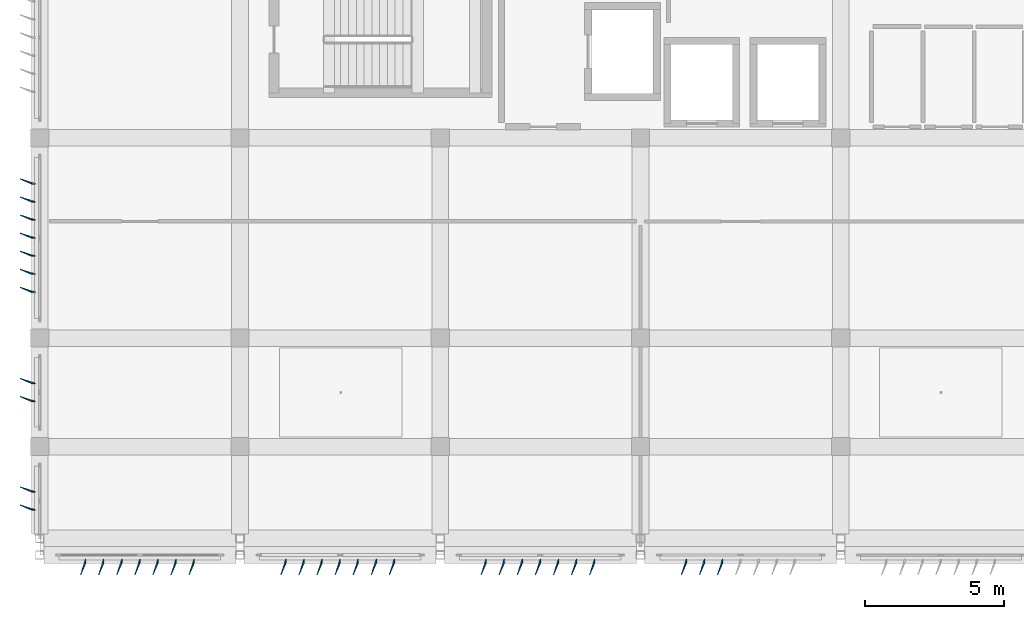
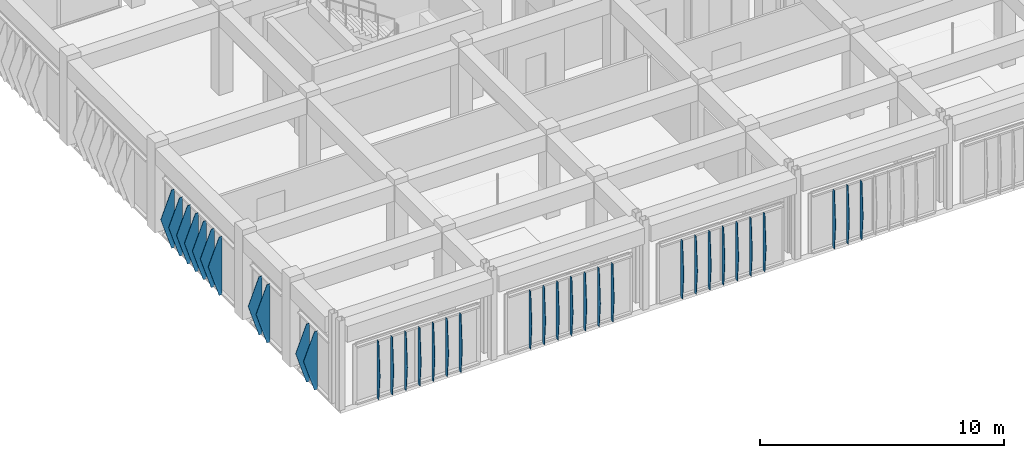
# One storey, part 50 of 56: 35 plates.
"""IFC4 building model written with IfcOpenShell, lengths in metres."""

import ifcopenshell
import ifcopenshell.guid

model = None  # the IFC model being written
_history = None  # IfcOwnerHistory: only IFC2X3 demands one
_inside = {}  # id of a spatial element -> (the spatial element, [elements in it])
_under = {}  # id of a project, library or spatial element -> (it, [spatial elements below it])
_declared = {}  # id of a project -> (the project, [libraries it declares])
_typed = {}  # id of a type object -> (the type object, [elements of that type])
_made_of = {}  # id of a material, layer set ... -> (it, [elements and type objects made of it])


def new_model(schema):
    """Start an empty IFC model of exactly this schema.

    Asked for "IFC4X3", IfcOpenShell would pick the latest addendum, in which some entities
    have other attributes; the version numbers below select the first issue.
    IFC2X3 requires an IfcOwnerHistory on every rooted entity: one is made here for all.
    """
    global model, _history
    if schema == "IFC4X3":
        model = ifcopenshell.file(schema_version=(4, 3, 0, 0))
    else:
        model = ifcopenshell.file(schema=schema)
    _inside.clear()
    _under.clear()
    _declared.clear()
    _typed.clear()
    _made_of.clear()
    _history = None
    if model.schema == "IFC2X3":
        org = make("IfcOrganization", Name="unknown")
        user = make(
            "IfcPersonAndOrganization",
            ThePerson=make("IfcPerson", FamilyName="unknown"),
            TheOrganization=org,
        )
        app = make(
            "IfcApplication",
            ApplicationDeveloper=org,
            Version="unknown",
            ApplicationFullName="unknown",
            ApplicationIdentifier="unknown",
        )
        _history = make(
            "IfcOwnerHistory",
            OwningUser=user,
            OwningApplication=app,
            ChangeAction="ADDED",
            CreationDate=0,
        )
    return model


def make(cls, **values):
    """One entity of the class cls with the attributes given. An attribute that is None is left unset."""
    return model.create_entity(
        cls, **{name: value for name, value in values.items() if value is not None}
    )


def rooted(cls, **values):
    """An entity with a GlobalId (a new one), such as an element, a storey or a relation."""
    return make(cls, GlobalId=ifcopenshell.guid.new(), OwnerHistory=_history, **values)


def si_unit(unit_type, name, prefix=None):
    """IfcSIUnit, for example si_unit("LENGTHUNIT", "METRE", prefix="MILLI")."""
    return make("IfcSIUnit", UnitType=unit_type, Prefix=prefix, Name=name)


def assignment(units):
    """IfcUnitAssignment: the units of a project."""
    return None if units is None else make("IfcUnitAssignment", Units=units)


def point(xyz):
    """IfcCartesianPoint."""
    return None if xyz is None else make("IfcCartesianPoint", Coordinates=xyz)


def direction(xyz):
    """IfcDirection."""
    return None if xyz is None else make("IfcDirection", DirectionRatios=xyz)


def frame(location, z_axis=None, x_axis=None):
    """IfcAxis2Placement3D, a coordinate frame: its origin and axes. An axis left out is left unset."""
    return make(
        "IfcAxis2Placement3D",
        Location=point(location),
        Axis=direction(z_axis),
        RefDirection=direction(x_axis),
    )


def origin():
    """The frame at (0, 0, 0) with its axes left unset."""
    return frame((0.0, 0.0, 0.0))


def place(relative_to, where):
    """IfcLocalPlacement: puts the frame where relative to a parent placement (None: the world)."""
    return make(
        "IfcLocalPlacement", PlacementRelTo=relative_to, RelativePlacement=where
    )


def context(
    kind, dimensions, precision=None, world=None, true_north=None, identifier=None
):
    """IfcGeometricRepresentationContext, for example the 3D "Model" context."""
    return make(
        "IfcGeometricRepresentationContext",
        ContextIdentifier=identifier,
        ContextType=kind,
        CoordinateSpaceDimension=dimensions,
        Precision=precision,
        WorldCoordinateSystem=world,
        TrueNorth=true_north,
    )


def subcontext(parent, identifier, kind, view, scale=None):
    """IfcGeometricRepresentationSubContext, for example "Body" below "Model"."""
    return make(
        "IfcGeometricRepresentationSubContext",
        ContextIdentifier=identifier,
        ContextType=kind,
        ParentContext=parent,
        TargetScale=scale,
        TargetView=view,
    )


def project(units=None, contexts=None):
    """IfcProject with its units and contexts."""
    return rooted(
        "IfcProject",
        Name="project",
        RepresentationContexts=contexts,
        UnitsInContext=assignment(units),
    )


def spatial(cls, under=None, at=None, **own):
    """A site, building, storey or space (cls), placed at a placement, below another one or the project."""
    s = rooted(cls, ObjectPlacement=at, **own)
    if under is not None:
        _under.setdefault(under.id(), (under, []))[1].append(s)
    return s


def point_list(points):
    """IfcCartesianPointList2D or 3D."""
    cls = (
        "IfcCartesianPointList2D" if len(points[0]) == 2 else "IfcCartesianPointList3D"
    )
    return make(cls, CoordList=points)


def polygons(points, faces, closed=None, point_numbers=None):
    """IfcPolygonalFaceSet: a face is its outer loop, then its inner loops; points numbered from 1."""
    made = []
    for loops in faces:
        if len(loops) == 1:
            made.append(make("IfcIndexedPolygonalFace", CoordIndex=loops[0]))
        else:
            made.append(
                make(
                    "IfcIndexedPolygonalFaceWithVoids",
                    CoordIndex=loops[0],
                    InnerCoordIndices=loops[1:],
                )
            )
    return make(
        "IfcPolygonalFaceSet",
        Coordinates=point_list(points),
        Closed=closed,
        Faces=made,
        PnIndex=point_numbers,
    )


def shape(context_of_items, identifier, shape_type, items):
    """IfcShapeRepresentation: the items that make up one representation, for example the "Body"."""
    return make(
        "IfcShapeRepresentation",
        ContextOfItems=context_of_items,
        RepresentationIdentifier=identifier,
        RepresentationType=shape_type,
        Items=items,
    )


def material(Name=None, Category=None):
    """IfcMaterial."""
    return make("IfcMaterial", Name=Name, Category=Category)


def layer(
    of_material, thickness, ventilated=None, Name=None, Category=None, Priority=None
):
    """IfcMaterialLayer: one layer of a wall or slab, of a material (None: an air gap)."""
    return make(
        "IfcMaterialLayer",
        Material=of_material,
        LayerThickness=thickness,
        IsVentilated=ventilated,
        Name=Name,
        Category=Category,
        Priority=Priority,
    )


def layer_set(layers, Name=None):
    """IfcMaterialLayerSet."""
    return make("IfcMaterialLayerSet", MaterialLayers=layers, LayerSetName=Name)


def made_of(thing, what):
    """Note that an element or type object is made of a material, layer set ...; save() writes the relation."""
    if what is not None:
        _made_of.setdefault(what.id(), (what, []))[1].append(thing)
    return thing


def type_object(cls, material=None, **own):
    """A type object (cls), such as IfcWallType, which elements share."""
    return made_of(rooted(cls, **own), material)


def element(
    cls,
    number,
    at=None,
    inside=None,
    cuts=None,
    type_object=None,
    material=None,
    context=None,
    identifier="Body",
    shape_type=None,
    held_by="IfcProductDefinitionShape",
    body=None,
    shapes=None,
    **own,
):
    """One element of the class cls, such as IfcWall. Its Tag is "e" and its number.

    at: its placement. inside: the storey or other place that contains it. cuts: it is an
    opening in that element (IfcRelVoidsElement). A single representation is given by context,
    identifier, shape_type and body (its items); several are given by shapes. held_by: the class
    of the entity that holds the representations. save() writes the other relations.
    """
    e = rooted(cls, Tag="e%d" % number, ObjectPlacement=at, **own)
    if body is not None:
        shapes = [shape(context, identifier, shape_type, body)]
    if shapes is not None:
        e.Representation = make(held_by, Representations=shapes)
    if inside is not None:
        _inside.setdefault(inside.id(), (inside, []))[1].append(e)
    if cuts is not None:
        rooted(
            "IfcRelVoidsElement", RelatingBuildingElement=cuts, RelatedOpeningElement=e
        )
    if type_object is not None:
        _typed.setdefault(type_object.id(), (type_object, []))[1].append(e)
    return made_of(e, material)


def aggregate(whole, parts):
    """IfcRelAggregates: a whole, such as a stair, and the parts it consists of."""
    return rooted("IfcRelAggregates", RelatingObject=whole, RelatedObjects=parts)


def save(model, path):
    """Write the relations noted so far, then the file.

    IfcRelAggregates (storeys below a building ...), IfcRelContainedInSpatialStructure (elements
    in a storey), IfcRelDefinesByType, IfcRelAssociatesMaterial and IfcRelDeclares: one each for
    every whole, place, type object, material and project.
    """
    for whole, parts in _under.values():
        aggregate(whole, parts)
    for where, things in _inside.values():
        rooted(
            "IfcRelContainedInSpatialStructure",
            RelatedElements=things,
            RelatingStructure=where,
        )
    for kind, things in _typed.values():
        rooted("IfcRelDefinesByType", RelatedObjects=things, RelatingType=kind)
    for what, things in _made_of.values():
        rooted("IfcRelAssociatesMaterial", RelatedObjects=things, RelatingMaterial=what)
    for by, libraries in _declared.values():
        rooted("IfcRelDeclares", RelatingContext=by, RelatedDefinitions=libraries)
    model.write(path)


model = new_model("IFC4")

# Units and contexts
model_context = context("Model", 3, precision=1e-05, world=origin(), true_north=direction((0.0, 1.0)))
body_context = subcontext(model_context, "Body", "Model", "MODEL_VIEW")
ifc_project = project(units=[si_unit("LENGTHUNIT", "METRE"), si_unit("AREAUNIT", "SQUARE_METRE"), si_unit("VOLUMEUNIT", "CUBIC_METRE"), si_unit("PLANEANGLEUNIT", "RADIAN"), si_unit("MASSUNIT", "GRAM", prefix="KILO")], contexts=[model_context])

# Site, building, storey
site_placement = place(None, origin())
site = spatial("IfcSite", under=ifc_project, at=site_placement, CompositionType="ELEMENT")
building_placement = place(site_placement, origin())
building = spatial("IfcBuilding", under=site, at=building_placement, Name="Kazehaya Institute of Natural Sciences", CompositionType="ELEMENT")
storey_placement = place(building_placement, frame((0.0, 0.0, 28.800048828125)))
storey = spatial("IfcBuildingStorey", under=building, at=storey_placement, Name="L06", CompositionType="ELEMENT", Elevation=28.800048828125)

# Plates
ifc_material = material(Name="Bronze-anodised aluminium alloy A6063S-T5", Category="aluminium")
ifc_layer_1 = layer(ifc_material, 0.02001953125, Name="Bronze-anodised aluminium alloy A6063S-T5", Category="aluminium")
ifc_layer_set_1 = layer_set([ifc_layer_1], Name="Bronze-anodised aluminium alloy A6063S-T5")
plate_type_1 = type_object("IfcPlateType", Name="FIN-DF-E1", PredefinedType="USERDEFINED", material=ifc_layer_set_1)
plate_1_placement = place(storey_placement, origin())
element("IfcPlate", 1, at=plate_1_placement, inside=storey, type_object=plate_type_1, Name="L06 folded diamond-pyramid shading fin FIN-L06-W-0494", ObjectType="SHADING_FIN", PredefinedType="USERDEFINED", context=body_context, shape_type="Tessellation", body=[
    polygons([(54.445068359375, 7.81494140625, 0.0400390625), (54.300048828125, 7.81494140625, 0.0400390625), (53.889892578125, 7.99365234375, 1.5), (54.300048828125, 7.81494140625, 2.9599609375), (54.445068359375, 7.81494140625, 2.9599609375), (54.445068359375, 7.8349609375, 0.0400390625), (54.300048828125, 7.8349609375, 0.0400390625), (53.889892578125, 8.013671875, 1.5), (54.300048828125, 7.8349609375, 2.9599609375), (54.445068359375, 7.8349609375, 2.9599609375)], [[[1, 5, 4, 3, 2]], [[6, 7, 8, 9, 10]], [[1, 2, 7, 6]], [[2, 3, 8, 7]], [[3, 4, 9, 8]], [[4, 5, 10, 9]], [[5, 1, 6, 10]]], closed=True),
])
plate_2_placement = place(storey_placement, origin())
element("IfcPlate", 2, at=plate_2_placement, inside=storey, type_object=plate_type_1, Name="L06 folded diamond-pyramid shading fin FIN-L06-W-0495", ObjectType="SHADING_FIN", PredefinedType="USERDEFINED", context=body_context, shape_type="Tessellation", body=[
    polygons([(54.445068359375, 8.465087890625, 0.0400390625), (54.300048828125, 8.465087890625, 0.0400390625), (53.889892578125, 8.643798828125, 1.5), (54.300048828125, 8.465087890625, 2.9599609375), (54.445068359375, 8.465087890625, 2.9599609375), (54.445068359375, 8.485107421875, 0.0400390625), (54.300048828125, 8.485107421875, 0.0400390625), (53.889892578125, 8.663818359375, 1.5), (54.300048828125, 8.485107421875, 2.9599609375), (54.445068359375, 8.485107421875, 2.9599609375)], [[[1, 5, 4, 3, 2]], [[6, 7, 8, 9, 10]], [[1, 2, 7, 6]], [[2, 3, 8, 7]], [[3, 4, 9, 8]], [[4, 5, 10, 9]], [[5, 1, 6, 10]]], closed=True),
])
plate_3_placement = place(storey_placement, origin())
element("IfcPlate", 3, at=plate_3_placement, inside=storey, type_object=plate_type_1, Name="L06 folded diamond-pyramid shading fin FIN-L06-W-0498", ObjectType="SHADING_FIN", PredefinedType="USERDEFINED", context=body_context, shape_type="Tessellation", body=[
    polygons([(54.445068359375, 11.715087890625, 0.0400390625), (54.300048828125, 11.715087890625, 0.0400390625), (53.889892578125, 11.893798828125, 1.5), (54.300048828125, 11.715087890625, 2.9599609375), (54.445068359375, 11.715087890625, 2.9599609375), (54.445068359375, 11.735107421875, 0.0400390625), (54.300048828125, 11.735107421875, 0.0400390625), (53.889892578125, 11.913818359375, 1.5), (54.300048828125, 11.735107421875, 2.9599609375), (54.445068359375, 11.735107421875, 2.9599609375)], [[[1, 5, 4, 3, 2]], [[6, 7, 8, 9, 10]], [[1, 2, 7, 6]], [[2, 3, 8, 7]], [[3, 4, 9, 8]], [[4, 5, 10, 9]], [[5, 1, 6, 10]]], closed=True),
])
plate_4_placement = place(storey_placement, origin())
element("IfcPlate", 4, at=plate_4_placement, inside=storey, type_object=plate_type_1, Name="L06 folded diamond-pyramid shading fin FIN-L06-W-0499", ObjectType="SHADING_FIN", PredefinedType="USERDEFINED", context=body_context, shape_type="Tessellation", body=[
    polygons([(54.445068359375, 12.364990234375, 0.0400390625), (54.300048828125, 12.364990234375, 0.0400390625), (53.889892578125, 12.543701171875, 1.5), (54.300048828125, 12.364990234375, 2.9599609375), (54.445068359375, 12.364990234375, 2.9599609375), (54.445068359375, 12.385009765625, 0.0400390625), (54.300048828125, 12.385009765625, 0.0400390625), (53.889892578125, 12.563720703125, 1.5), (54.300048828125, 12.385009765625, 2.9599609375), (54.445068359375, 12.385009765625, 2.9599609375)], [[[1, 5, 4, 3, 2]], [[6, 7, 8, 9, 10]], [[1, 2, 7, 6]], [[2, 3, 8, 7]], [[3, 4, 9, 8]], [[4, 5, 10, 9]], [[5, 1, 6, 10]]], closed=True),
])
plate_5_placement = place(storey_placement, origin())
element("IfcPlate", 5, at=plate_5_placement, inside=storey, type_object=plate_type_1, Name="L06 folded diamond-pyramid shading fin FIN-L06-W-0502", ObjectType="SHADING_FIN", PredefinedType="USERDEFINED", context=body_context, shape_type="Tessellation", body=[
    polygons([(54.445068359375, 15.639892578125, 0.0400390625), (54.300048828125, 15.639892578125, 0.0400390625), (53.889892578125, 15.818603515625, 1.5), (54.300048828125, 15.639892578125, 2.9599609375), (54.445068359375, 15.639892578125, 2.9599609375), (54.445068359375, 15.659912109375, 0.0400390625), (54.300048828125, 15.659912109375, 0.0400390625), (53.889892578125, 15.838623046875, 1.5), (54.300048828125, 15.659912109375, 2.9599609375), (54.445068359375, 15.659912109375, 2.9599609375)], [[[1, 5, 4, 3, 2]], [[6, 7, 8, 9, 10]], [[1, 2, 7, 6]], [[2, 3, 8, 7]], [[3, 4, 9, 8]], [[4, 5, 10, 9]], [[5, 1, 6, 10]]], closed=True),
])
plate_6_placement = place(storey_placement, origin())
element("IfcPlate", 6, at=plate_6_placement, inside=storey, type_object=plate_type_1, Name="L06 folded diamond-pyramid shading fin FIN-L06-W-0503", ObjectType="SHADING_FIN", PredefinedType="USERDEFINED", context=body_context, shape_type="Tessellation", body=[
    polygons([(54.445068359375, 16.2900390625, 0.0400390625), (54.300048828125, 16.2900390625, 0.0400390625), (53.889892578125, 16.46875, 1.5), (54.300048828125, 16.2900390625, 2.9599609375), (54.445068359375, 16.2900390625, 2.9599609375), (54.445068359375, 16.31005859375, 0.0400390625), (54.300048828125, 16.31005859375, 0.0400390625), (53.889892578125, 16.48876953125, 1.5), (54.300048828125, 16.31005859375, 2.9599609375), (54.445068359375, 16.31005859375, 2.9599609375)], [[[1, 5, 4, 3, 2]], [[6, 7, 8, 9, 10]], [[1, 2, 7, 6]], [[2, 3, 8, 7]], [[3, 4, 9, 8]], [[4, 5, 10, 9]], [[5, 1, 6, 10]]], closed=True),
])
plate_7_placement = place(storey_placement, origin())
element("IfcPlate", 7, at=plate_7_placement, inside=storey, type_object=plate_type_1, Name="L06 folded diamond-pyramid shading fin FIN-L06-W-0504", ObjectType="SHADING_FIN", PredefinedType="USERDEFINED", context=body_context, shape_type="Tessellation", body=[
    polygons([(54.445068359375, 16.93994140625, 0.0400390625), (54.300048828125, 16.93994140625, 0.0400390625), (53.889892578125, 17.11865234375, 1.5), (54.300048828125, 16.93994140625, 2.9599609375), (54.445068359375, 16.93994140625, 2.9599609375), (54.445068359375, 16.9599609375, 0.0400390625), (54.300048828125, 16.9599609375, 0.0400390625), (53.889892578125, 17.138671875, 1.5), (54.300048828125, 16.9599609375, 2.9599609375), (54.445068359375, 16.9599609375, 2.9599609375)], [[[1, 5, 4, 3, 2]], [[6, 7, 8, 9, 10]], [[1, 2, 7, 6]], [[2, 3, 8, 7]], [[3, 4, 9, 8]], [[4, 5, 10, 9]], [[5, 1, 6, 10]]], closed=True),
])
plate_8_placement = place(storey_placement, origin())
element("IfcPlate", 8, at=plate_8_placement, inside=storey, type_object=plate_type_1, Name="L06 folded diamond-pyramid shading fin FIN-L06-W-0505", ObjectType="SHADING_FIN", PredefinedType="USERDEFINED", context=body_context, shape_type="Tessellation", body=[
    polygons([(54.445068359375, 17.590087890625, 0.0400390625), (54.300048828125, 17.590087890625, 0.0400390625), (53.889892578125, 17.768798828125, 1.5), (54.300048828125, 17.590087890625, 2.9599609375), (54.445068359375, 17.590087890625, 2.9599609375), (54.445068359375, 17.610107421875, 0.0400390625), (54.300048828125, 17.610107421875, 0.0400390625), (53.889892578125, 17.788818359375, 1.5), (54.300048828125, 17.610107421875, 2.9599609375), (54.445068359375, 17.610107421875, 2.9599609375)], [[[1, 5, 4, 3, 2]], [[6, 7, 8, 9, 10]], [[1, 2, 7, 6]], [[2, 3, 8, 7]], [[3, 4, 9, 8]], [[4, 5, 10, 9]], [[5, 1, 6, 10]]], closed=True),
])
plate_9_placement = place(storey_placement, origin())
element("IfcPlate", 9, at=plate_9_placement, inside=storey, type_object=plate_type_1, Name="L06 folded diamond-pyramid shading fin FIN-L06-W-0506", ObjectType="SHADING_FIN", PredefinedType="USERDEFINED", context=body_context, shape_type="Tessellation", body=[
    polygons([(54.445068359375, 18.239990234375, 0.0400390625), (54.300048828125, 18.239990234375, 0.0400390625), (53.889892578125, 18.418701171875, 1.5), (54.300048828125, 18.239990234375, 2.9599609375), (54.445068359375, 18.239990234375, 2.9599609375), (54.445068359375, 18.260009765625, 0.0400390625), (54.300048828125, 18.260009765625, 0.0400390625), (53.889892578125, 18.438720703125, 1.5), (54.300048828125, 18.260009765625, 2.9599609375), (54.445068359375, 18.260009765625, 2.9599609375)], [[[1, 5, 4, 3, 2]], [[6, 7, 8, 9, 10]], [[1, 2, 7, 6]], [[2, 3, 8, 7]], [[3, 4, 9, 8]], [[4, 5, 10, 9]], [[5, 1, 6, 10]]], closed=True),
])
plate_10_placement = place(storey_placement, origin())
element("IfcPlate", 10, at=plate_10_placement, inside=storey, type_object=plate_type_1, Name="L06 folded diamond-pyramid shading fin FIN-L06-W-0507", ObjectType="SHADING_FIN", PredefinedType="USERDEFINED", context=body_context, shape_type="Tessellation", body=[
    polygons([(54.445068359375, 18.889892578125, 0.0400390625), (54.300048828125, 18.889892578125, 0.0400390625), (53.889892578125, 19.068603515625, 1.5), (54.300048828125, 18.889892578125, 2.9599609375), (54.445068359375, 18.889892578125, 2.9599609375), (54.445068359375, 18.909912109375, 0.0400390625), (54.300048828125, 18.909912109375, 0.0400390625), (53.889892578125, 19.088623046875, 1.5), (54.300048828125, 18.909912109375, 2.9599609375), (54.445068359375, 18.909912109375, 2.9599609375)], [[[1, 5, 4, 3, 2]], [[6, 7, 8, 9, 10]], [[1, 2, 7, 6]], [[2, 3, 8, 7]], [[3, 4, 9, 8]], [[4, 5, 10, 9]], [[5, 1, 6, 10]]], closed=True),
])
plate_11_placement = place(storey_placement, origin())
element("IfcPlate", 11, at=plate_11_placement, inside=storey, type_object=plate_type_1, Name="L06 folded diamond-pyramid shading fin FIN-L06-W-0508", ObjectType="SHADING_FIN", PredefinedType="USERDEFINED", context=body_context, shape_type="Tessellation", body=[
    polygons([(54.445068359375, 19.5400390625, 0.0400390625), (54.300048828125, 19.5400390625, 0.0400390625), (53.889892578125, 19.71875, 1.5), (54.300048828125, 19.5400390625, 2.9599609375), (54.445068359375, 19.5400390625, 2.9599609375), (54.445068359375, 19.56005859375, 0.0400390625), (54.300048828125, 19.56005859375, 0.0400390625), (53.889892578125, 19.73876953125, 1.5), (54.300048828125, 19.56005859375, 2.9599609375), (54.445068359375, 19.56005859375, 2.9599609375)], [[[1, 5, 4, 3, 2]], [[6, 7, 8, 9, 10]], [[1, 2, 7, 6]], [[2, 3, 8, 7]], [[3, 4, 9, 8]], [[4, 5, 10, 9]], [[5, 1, 6, 10]]], closed=True),
])
ifc_layer_2 = layer(ifc_material, 0.02001953125, Name="Bronze-anodised aluminium alloy A6063S-T5", Category="aluminium")
ifc_layer_set_2 = layer_set([ifc_layer_2], Name="Bronze-anodised aluminium alloy A6063S-T5")
plate_type_2 = type_object("IfcPlateType", Name="FIN-DF-S1", PredefinedType="USERDEFINED", material=ifc_layer_set_2)
plate_12_placement = place(storey_placement, origin())
element("IfcPlate", 12, at=plate_12_placement, inside=storey, type_object=plate_type_2, Name="L06 folded diamond-pyramid shading fin FIN-L06-S-0425", ObjectType="SHADING_FIN", PredefinedType="USERDEFINED", context=body_context, shape_type="Tessellation", body=[
    polygons([(79.159912109375, 6.044921875, 0.0400390625), (79.159912109375, 5.89990234375, 0.0400390625), (78.981201171875, 5.489990234375, 1.5), (79.159912109375, 5.89990234375, 2.9599609375), (79.159912109375, 6.044921875, 2.9599609375), (79.139892578125, 6.044921875, 0.0400390625), (79.139892578125, 5.89990234375, 0.0400390625), (78.961181640625, 5.489990234375, 1.5), (79.139892578125, 5.89990234375, 2.9599609375), (79.139892578125, 6.044921875, 2.9599609375)], [[[1, 5, 4, 3, 2]], [[6, 7, 8, 9, 10]], [[1, 2, 7, 6]], [[2, 3, 8, 7]], [[3, 4, 9, 8]], [[4, 5, 10, 9]], [[5, 1, 6, 10]]], closed=True),
])
plate_13_placement = place(storey_placement, origin())
element("IfcPlate", 13, at=plate_13_placement, inside=storey, type_object=plate_type_2, Name="L06 folded diamond-pyramid shading fin FIN-L06-S-0426", ObjectType="SHADING_FIN", PredefinedType="USERDEFINED", context=body_context, shape_type="Tessellation", body=[
    polygons([(78.510009765625, 6.044921875, 0.0400390625), (78.510009765625, 5.89990234375, 0.0400390625), (78.331298828125, 5.489990234375, 1.5), (78.510009765625, 5.89990234375, 2.9599609375), (78.510009765625, 6.044921875, 2.9599609375), (78.489990234375, 6.044921875, 0.0400390625), (78.489990234375, 5.89990234375, 0.0400390625), (78.311279296875, 5.489990234375, 1.5), (78.489990234375, 5.89990234375, 2.9599609375), (78.489990234375, 6.044921875, 2.9599609375)], [[[1, 5, 4, 3, 2]], [[6, 7, 8, 9, 10]], [[1, 2, 7, 6]], [[2, 3, 8, 7]], [[3, 4, 9, 8]], [[4, 5, 10, 9]], [[5, 1, 6, 10]]], closed=True),
])
plate_14_placement = place(storey_placement, origin())
element("IfcPlate", 14, at=plate_14_placement, inside=storey, type_object=plate_type_2, Name="L06 folded diamond-pyramid shading fin FIN-L06-S-0427", ObjectType="SHADING_FIN", PredefinedType="USERDEFINED", context=body_context, shape_type="Tessellation", body=[
    polygons([(77.860107421875, 6.044921875, 0.0400390625), (77.860107421875, 5.89990234375, 0.0400390625), (77.681396484375, 5.489990234375, 1.5), (77.860107421875, 5.89990234375, 2.9599609375), (77.860107421875, 6.044921875, 2.9599609375), (77.840087890625, 6.044921875, 0.0400390625), (77.840087890625, 5.89990234375, 0.0400390625), (77.661376953125, 5.489990234375, 1.5), (77.840087890625, 5.89990234375, 2.9599609375), (77.840087890625, 6.044921875, 2.9599609375)], [[[1, 5, 4, 3, 2]], [[6, 7, 8, 9, 10]], [[1, 2, 7, 6]], [[2, 3, 8, 7]], [[3, 4, 9, 8]], [[4, 5, 10, 9]], [[5, 1, 6, 10]]], closed=True),
])
plate_15_placement = place(storey_placement, origin())
element("IfcPlate", 15, at=plate_15_placement, inside=storey, type_object=plate_type_2, Name="L06 folded diamond-pyramid shading fin FIN-L06-S-0428", ObjectType="SHADING_FIN", PredefinedType="USERDEFINED", context=body_context, shape_type="Tessellation", body=[
    polygons([(74.56005859375, 6.044921875, 0.0400390625), (74.56005859375, 5.89990234375, 0.0400390625), (74.38134765625, 5.489990234375, 1.5), (74.56005859375, 5.89990234375, 2.9599609375), (74.56005859375, 6.044921875, 2.9599609375), (74.5400390625, 6.044921875, 0.0400390625), (74.5400390625, 5.89990234375, 0.0400390625), (74.361328125, 5.489990234375, 1.5), (74.5400390625, 5.89990234375, 2.9599609375), (74.5400390625, 6.044921875, 2.9599609375)], [[[1, 5, 4, 3, 2]], [[6, 7, 8, 9, 10]], [[1, 2, 7, 6]], [[2, 3, 8, 7]], [[3, 4, 9, 8]], [[4, 5, 10, 9]], [[5, 1, 6, 10]]], closed=True),
])
plate_16_placement = place(storey_placement, origin())
element("IfcPlate", 16, at=plate_16_placement, inside=storey, type_object=plate_type_2, Name="L06 folded diamond-pyramid shading fin FIN-L06-S-0429", ObjectType="SHADING_FIN", PredefinedType="USERDEFINED", context=body_context, shape_type="Tessellation", body=[
    polygons([(73.909912109375, 6.044921875, 0.0400390625), (73.909912109375, 5.89990234375, 0.0400390625), (73.731201171875, 5.489990234375, 1.5), (73.909912109375, 5.89990234375, 2.9599609375), (73.909912109375, 6.044921875, 2.9599609375), (73.889892578125, 6.044921875, 0.0400390625), (73.889892578125, 5.89990234375, 0.0400390625), (73.711181640625, 5.489990234375, 1.5), (73.889892578125, 5.89990234375, 2.9599609375), (73.889892578125, 6.044921875, 2.9599609375)], [[[1, 5, 4, 3, 2]], [[6, 7, 8, 9, 10]], [[1, 2, 7, 6]], [[2, 3, 8, 7]], [[3, 4, 9, 8]], [[4, 5, 10, 9]], [[5, 1, 6, 10]]], closed=True),
])
plate_17_placement = place(storey_placement, origin())
element("IfcPlate", 17, at=plate_17_placement, inside=storey, type_object=plate_type_2, Name="L06 folded diamond-pyramid shading fin FIN-L06-S-0430", ObjectType="SHADING_FIN", PredefinedType="USERDEFINED", context=body_context, shape_type="Tessellation", body=[
    polygons([(73.260009765625, 6.044921875, 0.0400390625), (73.260009765625, 5.89990234375, 0.0400390625), (73.081298828125, 5.489990234375, 1.5), (73.260009765625, 5.89990234375, 2.9599609375), (73.260009765625, 6.044921875, 2.9599609375), (73.239990234375, 6.044921875, 0.0400390625), (73.239990234375, 5.89990234375, 0.0400390625), (73.061279296875, 5.489990234375, 1.5), (73.239990234375, 5.89990234375, 2.9599609375), (73.239990234375, 6.044921875, 2.9599609375)], [[[1, 5, 4, 3, 2]], [[6, 7, 8, 9, 10]], [[1, 2, 7, 6]], [[2, 3, 8, 7]], [[3, 4, 9, 8]], [[4, 5, 10, 9]], [[5, 1, 6, 10]]], closed=True),
])
plate_18_placement = place(storey_placement, origin())
element("IfcPlate", 18, at=plate_18_placement, inside=storey, type_object=plate_type_2, Name="L06 folded diamond-pyramid shading fin FIN-L06-S-0431", ObjectType="SHADING_FIN", PredefinedType="USERDEFINED", context=body_context, shape_type="Tessellation", body=[
    polygons([(72.610107421875, 6.044921875, 0.0400390625), (72.610107421875, 5.89990234375, 0.0400390625), (72.431396484375, 5.489990234375, 1.5), (72.610107421875, 5.89990234375, 2.9599609375), (72.610107421875, 6.044921875, 2.9599609375), (72.590087890625, 6.044921875, 0.0400390625), (72.590087890625, 5.89990234375, 0.0400390625), (72.411376953125, 5.489990234375, 1.5), (72.590087890625, 5.89990234375, 2.9599609375), (72.590087890625, 6.044921875, 2.9599609375)], [[[1, 5, 4, 3, 2]], [[6, 7, 8, 9, 10]], [[1, 2, 7, 6]], [[2, 3, 8, 7]], [[3, 4, 9, 8]], [[4, 5, 10, 9]], [[5, 1, 6, 10]]], closed=True),
])
plate_19_placement = place(storey_placement, origin())
element("IfcPlate", 19, at=plate_19_placement, inside=storey, type_object=plate_type_2, Name="L06 folded diamond-pyramid shading fin FIN-L06-S-0432", ObjectType="SHADING_FIN", PredefinedType="USERDEFINED", context=body_context, shape_type="Tessellation", body=[
    polygons([(71.9599609375, 6.044921875, 0.0400390625), (71.9599609375, 5.89990234375, 0.0400390625), (71.78125, 5.489990234375, 1.5), (71.9599609375, 5.89990234375, 2.9599609375), (71.9599609375, 6.044921875, 2.9599609375), (71.93994140625, 6.044921875, 0.0400390625), (71.93994140625, 5.89990234375, 0.0400390625), (71.76123046875, 5.489990234375, 1.5), (71.93994140625, 5.89990234375, 2.9599609375), (71.93994140625, 6.044921875, 2.9599609375)], [[[1, 5, 4, 3, 2]], [[6, 7, 8, 9, 10]], [[1, 2, 7, 6]], [[2, 3, 8, 7]], [[3, 4, 9, 8]], [[4, 5, 10, 9]], [[5, 1, 6, 10]]], closed=True),
])
plate_20_placement = place(storey_placement, origin())
element("IfcPlate", 20, at=plate_20_placement, inside=storey, type_object=plate_type_2, Name="L06 folded diamond-pyramid shading fin FIN-L06-S-0433", ObjectType="SHADING_FIN", PredefinedType="USERDEFINED", context=body_context, shape_type="Tessellation", body=[
    polygons([(71.31005859375, 6.044921875, 0.0400390625), (71.31005859375, 5.89990234375, 0.0400390625), (71.13134765625, 5.489990234375, 1.5), (71.31005859375, 5.89990234375, 2.9599609375), (71.31005859375, 6.044921875, 2.9599609375), (71.2900390625, 6.044921875, 0.0400390625), (71.2900390625, 5.89990234375, 0.0400390625), (71.111328125, 5.489990234375, 1.5), (71.2900390625, 5.89990234375, 2.9599609375), (71.2900390625, 6.044921875, 2.9599609375)], [[[1, 5, 4, 3, 2]], [[6, 7, 8, 9, 10]], [[1, 2, 7, 6]], [[2, 3, 8, 7]], [[3, 4, 9, 8]], [[4, 5, 10, 9]], [[5, 1, 6, 10]]], closed=True),
])
plate_21_placement = place(storey_placement, origin())
element("IfcPlate", 21, at=plate_21_placement, inside=storey, type_object=plate_type_2, Name="L06 folded diamond-pyramid shading fin FIN-L06-S-0434", ObjectType="SHADING_FIN", PredefinedType="USERDEFINED", context=body_context, shape_type="Tessellation", body=[
    polygons([(70.659912109375, 6.044921875, 0.0400390625), (70.659912109375, 5.89990234375, 0.0400390625), (70.481201171875, 5.489990234375, 1.5), (70.659912109375, 5.89990234375, 2.9599609375), (70.659912109375, 6.044921875, 2.9599609375), (70.639892578125, 6.044921875, 0.0400390625), (70.639892578125, 5.89990234375, 0.0400390625), (70.461181640625, 5.489990234375, 1.5), (70.639892578125, 5.89990234375, 2.9599609375), (70.639892578125, 6.044921875, 2.9599609375)], [[[1, 5, 4, 3, 2]], [[6, 7, 8, 9, 10]], [[1, 2, 7, 6]], [[2, 3, 8, 7]], [[3, 4, 9, 8]], [[4, 5, 10, 9]], [[5, 1, 6, 10]]], closed=True),
])
plate_22_placement = place(storey_placement, origin())
element("IfcPlate", 22, at=plate_22_placement, inside=storey, type_object=plate_type_2, Name="L06 folded diamond-pyramid shading fin FIN-L06-S-0435", ObjectType="SHADING_FIN", PredefinedType="USERDEFINED", context=body_context, shape_type="Tessellation", body=[
    polygons([(67.360107421875, 6.044921875, 0.0400390625), (67.360107421875, 5.89990234375, 0.0400390625), (67.181396484375, 5.489990234375, 1.5), (67.360107421875, 5.89990234375, 2.9599609375), (67.360107421875, 6.044921875, 2.9599609375), (67.340087890625, 6.044921875, 0.0400390625), (67.340087890625, 5.89990234375, 0.0400390625), (67.161376953125, 5.489990234375, 1.5), (67.340087890625, 5.89990234375, 2.9599609375), (67.340087890625, 6.044921875, 2.9599609375)], [[[1, 5, 4, 3, 2]], [[6, 7, 8, 9, 10]], [[1, 2, 7, 6]], [[2, 3, 8, 7]], [[3, 4, 9, 8]], [[4, 5, 10, 9]], [[5, 1, 6, 10]]], closed=True),
])
plate_23_placement = place(storey_placement, origin())
element("IfcPlate", 23, at=plate_23_placement, inside=storey, type_object=plate_type_2, Name="L06 folded diamond-pyramid shading fin FIN-L06-S-0436", ObjectType="SHADING_FIN", PredefinedType="USERDEFINED", context=body_context, shape_type="Tessellation", body=[
    polygons([(66.7099609375, 6.044921875, 0.0400390625), (66.7099609375, 5.89990234375, 0.0400390625), (66.53125, 5.489990234375, 1.5), (66.7099609375, 5.89990234375, 2.9599609375), (66.7099609375, 6.044921875, 2.9599609375), (66.68994140625, 6.044921875, 0.0400390625), (66.68994140625, 5.89990234375, 0.0400390625), (66.51123046875, 5.489990234375, 1.5), (66.68994140625, 5.89990234375, 2.9599609375), (66.68994140625, 6.044921875, 2.9599609375)], [[[1, 5, 4, 3, 2]], [[6, 7, 8, 9, 10]], [[1, 2, 7, 6]], [[2, 3, 8, 7]], [[3, 4, 9, 8]], [[4, 5, 10, 9]], [[5, 1, 6, 10]]], closed=True),
])
plate_24_placement = place(storey_placement, origin())
element("IfcPlate", 24, at=plate_24_placement, inside=storey, type_object=plate_type_2, Name="L06 folded diamond-pyramid shading fin FIN-L06-S-0437", ObjectType="SHADING_FIN", PredefinedType="USERDEFINED", context=body_context, shape_type="Tessellation", body=[
    polygons([(66.06005859375, 6.044921875, 0.0400390625), (66.06005859375, 5.89990234375, 0.0400390625), (65.88134765625, 5.489990234375, 1.5), (66.06005859375, 5.89990234375, 2.9599609375), (66.06005859375, 6.044921875, 2.9599609375), (66.0400390625, 6.044921875, 0.0400390625), (66.0400390625, 5.89990234375, 0.0400390625), (65.861328125, 5.489990234375, 1.5), (66.0400390625, 5.89990234375, 2.9599609375), (66.0400390625, 6.044921875, 2.9599609375)], [[[1, 5, 4, 3, 2]], [[6, 7, 8, 9, 10]], [[1, 2, 7, 6]], [[2, 3, 8, 7]], [[3, 4, 9, 8]], [[4, 5, 10, 9]], [[5, 1, 6, 10]]], closed=True),
])
plate_25_placement = place(storey_placement, origin())
element("IfcPlate", 25, at=plate_25_placement, inside=storey, type_object=plate_type_2, Name="L06 folded diamond-pyramid shading fin FIN-L06-S-0438", ObjectType="SHADING_FIN", PredefinedType="USERDEFINED", context=body_context, shape_type="Tessellation", body=[
    polygons([(65.409912109375, 6.044921875, 0.0400390625), (65.409912109375, 5.89990234375, 0.0400390625), (65.231201171875, 5.489990234375, 1.5), (65.409912109375, 5.89990234375, 2.9599609375), (65.409912109375, 6.044921875, 2.9599609375), (65.389892578125, 6.044921875, 0.0400390625), (65.389892578125, 5.89990234375, 0.0400390625), (65.211181640625, 5.489990234375, 1.5), (65.389892578125, 5.89990234375, 2.9599609375), (65.389892578125, 6.044921875, 2.9599609375)], [[[1, 5, 4, 3, 2]], [[6, 7, 8, 9, 10]], [[1, 2, 7, 6]], [[2, 3, 8, 7]], [[3, 4, 9, 8]], [[4, 5, 10, 9]], [[5, 1, 6, 10]]], closed=True),
])
plate_26_placement = place(storey_placement, origin())
element("IfcPlate", 26, at=plate_26_placement, inside=storey, type_object=plate_type_2, Name="L06 folded diamond-pyramid shading fin FIN-L06-S-0439", ObjectType="SHADING_FIN", PredefinedType="USERDEFINED", context=body_context, shape_type="Tessellation", body=[
    polygons([(64.760009765625, 6.044921875, 0.0400390625), (64.760009765625, 5.89990234375, 0.0400390625), (64.581298828125, 5.489990234375, 1.5), (64.760009765625, 5.89990234375, 2.9599609375), (64.760009765625, 6.044921875, 2.9599609375), (64.739990234375, 6.044921875, 0.0400390625), (64.739990234375, 5.89990234375, 0.0400390625), (64.561279296875, 5.489990234375, 1.5), (64.739990234375, 5.89990234375, 2.9599609375), (64.739990234375, 6.044921875, 2.9599609375)], [[[1, 5, 4, 3, 2]], [[6, 7, 8, 9, 10]], [[1, 2, 7, 6]], [[2, 3, 8, 7]], [[3, 4, 9, 8]], [[4, 5, 10, 9]], [[5, 1, 6, 10]]], closed=True),
])
plate_27_placement = place(storey_placement, origin())
element("IfcPlate", 27, at=plate_27_placement, inside=storey, type_object=plate_type_2, Name="L06 folded diamond-pyramid shading fin FIN-L06-S-0440", ObjectType="SHADING_FIN", PredefinedType="USERDEFINED", context=body_context, shape_type="Tessellation", body=[
    polygons([(64.110107421875, 6.044921875, 0.0400390625), (64.110107421875, 5.89990234375, 0.0400390625), (63.931396484375, 5.489990234375, 1.5), (64.110107421875, 5.89990234375, 2.9599609375), (64.110107421875, 6.044921875, 2.9599609375), (64.090087890625, 6.044921875, 0.0400390625), (64.090087890625, 5.89990234375, 0.0400390625), (63.911376953125, 5.489990234375, 1.5), (64.090087890625, 5.89990234375, 2.9599609375), (64.090087890625, 6.044921875, 2.9599609375)], [[[1, 5, 4, 3, 2]], [[6, 7, 8, 9, 10]], [[1, 2, 7, 6]], [[2, 3, 8, 7]], [[3, 4, 9, 8]], [[4, 5, 10, 9]], [[5, 1, 6, 10]]], closed=True),
])
plate_28_placement = place(storey_placement, origin())
element("IfcPlate", 28, at=plate_28_placement, inside=storey, type_object=plate_type_2, Name="L06 folded diamond-pyramid shading fin FIN-L06-S-0441", ObjectType="SHADING_FIN", PredefinedType="USERDEFINED", context=body_context, shape_type="Tessellation", body=[
    polygons([(63.4599609375, 6.044921875, 0.0400390625), (63.4599609375, 5.89990234375, 0.0400390625), (63.28125, 5.489990234375, 1.5), (63.4599609375, 5.89990234375, 2.9599609375), (63.4599609375, 6.044921875, 2.9599609375), (63.43994140625, 6.044921875, 0.0400390625), (63.43994140625, 5.89990234375, 0.0400390625), (63.26123046875, 5.489990234375, 1.5), (63.43994140625, 5.89990234375, 2.9599609375), (63.43994140625, 6.044921875, 2.9599609375)], [[[1, 5, 4, 3, 2]], [[6, 7, 8, 9, 10]], [[1, 2, 7, 6]], [[2, 3, 8, 7]], [[3, 4, 9, 8]], [[4, 5, 10, 9]], [[5, 1, 6, 10]]], closed=True),
])
plate_29_placement = place(storey_placement, origin())
element("IfcPlate", 29, at=plate_29_placement, inside=storey, type_object=plate_type_2, Name="L06 folded diamond-pyramid shading fin FIN-L06-S-0442", ObjectType="SHADING_FIN", PredefinedType="USERDEFINED", context=body_context, shape_type="Tessellation", body=[
    polygons([(60.159912109375, 6.044921875, 0.0400390625), (60.159912109375, 5.89990234375, 0.0400390625), (59.981201171875, 5.489990234375, 1.5), (60.159912109375, 5.89990234375, 2.9599609375), (60.159912109375, 6.044921875, 2.9599609375), (60.139892578125, 6.044921875, 0.0400390625), (60.139892578125, 5.89990234375, 0.0400390625), (59.961181640625, 5.489990234375, 1.5), (60.139892578125, 5.89990234375, 2.9599609375), (60.139892578125, 6.044921875, 2.9599609375)], [[[1, 5, 4, 3, 2]], [[6, 7, 8, 9, 10]], [[1, 2, 7, 6]], [[2, 3, 8, 7]], [[3, 4, 9, 8]], [[4, 5, 10, 9]], [[5, 1, 6, 10]]], closed=True),
])
plate_30_placement = place(storey_placement, origin())
element("IfcPlate", 30, at=plate_30_placement, inside=storey, type_object=plate_type_2, Name="L06 folded diamond-pyramid shading fin FIN-L06-S-0443", ObjectType="SHADING_FIN", PredefinedType="USERDEFINED", context=body_context, shape_type="Tessellation", body=[
    polygons([(59.510009765625, 6.044921875, 0.0400390625), (59.510009765625, 5.89990234375, 0.0400390625), (59.331298828125, 5.489990234375, 1.5), (59.510009765625, 5.89990234375, 2.9599609375), (59.510009765625, 6.044921875, 2.9599609375), (59.489990234375, 6.044921875, 0.0400390625), (59.489990234375, 5.89990234375, 0.0400390625), (59.311279296875, 5.489990234375, 1.5), (59.489990234375, 5.89990234375, 2.9599609375), (59.489990234375, 6.044921875, 2.9599609375)], [[[1, 5, 4, 3, 2]], [[6, 7, 8, 9, 10]], [[1, 2, 7, 6]], [[2, 3, 8, 7]], [[3, 4, 9, 8]], [[4, 5, 10, 9]], [[5, 1, 6, 10]]], closed=True),
])
plate_31_placement = place(storey_placement, origin())
element("IfcPlate", 31, at=plate_31_placement, inside=storey, type_object=plate_type_2, Name="L06 folded diamond-pyramid shading fin FIN-L06-S-0444", ObjectType="SHADING_FIN", PredefinedType="USERDEFINED", context=body_context, shape_type="Tessellation", body=[
    polygons([(58.860107421875, 6.044921875, 0.0400390625), (58.860107421875, 5.89990234375, 0.0400390625), (58.681396484375, 5.489990234375, 1.5), (58.860107421875, 5.89990234375, 2.9599609375), (58.860107421875, 6.044921875, 2.9599609375), (58.840087890625, 6.044921875, 0.0400390625), (58.840087890625, 5.89990234375, 0.0400390625), (58.661376953125, 5.489990234375, 1.5), (58.840087890625, 5.89990234375, 2.9599609375), (58.840087890625, 6.044921875, 2.9599609375)], [[[1, 5, 4, 3, 2]], [[6, 7, 8, 9, 10]], [[1, 2, 7, 6]], [[2, 3, 8, 7]], [[3, 4, 9, 8]], [[4, 5, 10, 9]], [[5, 1, 6, 10]]], closed=True),
])
plate_32_placement = place(storey_placement, origin())
element("IfcPlate", 32, at=plate_32_placement, inside=storey, type_object=plate_type_2, Name="L06 folded diamond-pyramid shading fin FIN-L06-S-0445", ObjectType="SHADING_FIN", PredefinedType="USERDEFINED", context=body_context, shape_type="Tessellation", body=[
    polygons([(58.2099609375, 6.044921875, 0.0400390625), (58.2099609375, 5.89990234375, 0.0400390625), (58.03125, 5.489990234375, 1.5), (58.2099609375, 5.89990234375, 2.9599609375), (58.2099609375, 6.044921875, 2.9599609375), (58.18994140625, 6.044921875, 0.0400390625), (58.18994140625, 5.89990234375, 0.0400390625), (58.01123046875, 5.489990234375, 1.5), (58.18994140625, 5.89990234375, 2.9599609375), (58.18994140625, 6.044921875, 2.9599609375)], [[[1, 5, 4, 3, 2]], [[6, 7, 8, 9, 10]], [[1, 2, 7, 6]], [[2, 3, 8, 7]], [[3, 4, 9, 8]], [[4, 5, 10, 9]], [[5, 1, 6, 10]]], closed=True),
])
plate_33_placement = place(storey_placement, origin())
element("IfcPlate", 33, at=plate_33_placement, inside=storey, type_object=plate_type_2, Name="L06 folded diamond-pyramid shading fin FIN-L06-S-0446", ObjectType="SHADING_FIN", PredefinedType="USERDEFINED", context=body_context, shape_type="Tessellation", body=[
    polygons([(57.56005859375, 6.044921875, 0.0400390625), (57.56005859375, 5.89990234375, 0.0400390625), (57.38134765625, 5.489990234375, 1.5), (57.56005859375, 5.89990234375, 2.9599609375), (57.56005859375, 6.044921875, 2.9599609375), (57.5400390625, 6.044921875, 0.0400390625), (57.5400390625, 5.89990234375, 0.0400390625), (57.361328125, 5.489990234375, 1.5), (57.5400390625, 5.89990234375, 2.9599609375), (57.5400390625, 6.044921875, 2.9599609375)], [[[1, 5, 4, 3, 2]], [[6, 7, 8, 9, 10]], [[1, 2, 7, 6]], [[2, 3, 8, 7]], [[3, 4, 9, 8]], [[4, 5, 10, 9]], [[5, 1, 6, 10]]], closed=True),
])
plate_34_placement = place(storey_placement, origin())
element("IfcPlate", 34, at=plate_34_placement, inside=storey, type_object=plate_type_2, Name="L06 folded diamond-pyramid shading fin FIN-L06-S-0447", ObjectType="SHADING_FIN", PredefinedType="USERDEFINED", context=body_context, shape_type="Tessellation", body=[
    polygons([(56.909912109375, 6.044921875, 0.0400390625), (56.909912109375, 5.89990234375, 0.0400390625), (56.731201171875, 5.489990234375, 1.5), (56.909912109375, 5.89990234375, 2.9599609375), (56.909912109375, 6.044921875, 2.9599609375), (56.889892578125, 6.044921875, 0.0400390625), (56.889892578125, 5.89990234375, 0.0400390625), (56.711181640625, 5.489990234375, 1.5), (56.889892578125, 5.89990234375, 2.9599609375), (56.889892578125, 6.044921875, 2.9599609375)], [[[1, 5, 4, 3, 2]], [[6, 7, 8, 9, 10]], [[1, 2, 7, 6]], [[2, 3, 8, 7]], [[3, 4, 9, 8]], [[4, 5, 10, 9]], [[5, 1, 6, 10]]], closed=True),
])
plate_35_placement = place(storey_placement, origin())
element("IfcPlate", 35, at=plate_35_placement, inside=storey, type_object=plate_type_2, Name="L06 folded diamond-pyramid shading fin FIN-L06-S-0448", ObjectType="SHADING_FIN", PredefinedType="USERDEFINED", context=body_context, shape_type="Tessellation", body=[
    polygons([(56.260009765625, 6.044921875, 0.0400390625), (56.260009765625, 5.89990234375, 0.0400390625), (56.081298828125, 5.489990234375, 1.5), (56.260009765625, 5.89990234375, 2.9599609375), (56.260009765625, 6.044921875, 2.9599609375), (56.239990234375, 6.044921875, 0.0400390625), (56.239990234375, 5.89990234375, 0.0400390625), (56.061279296875, 5.489990234375, 1.5), (56.239990234375, 5.89990234375, 2.9599609375), (56.239990234375, 6.044921875, 2.9599609375)], [[[1, 5, 4, 3, 2]], [[6, 7, 8, 9, 10]], [[1, 2, 7, 6]], [[2, 3, 8, 7]], [[3, 4, 9, 8]], [[4, 5, 10, 9]], [[5, 1, 6, 10]]], closed=True),
])

save(model, "model.ifc")
